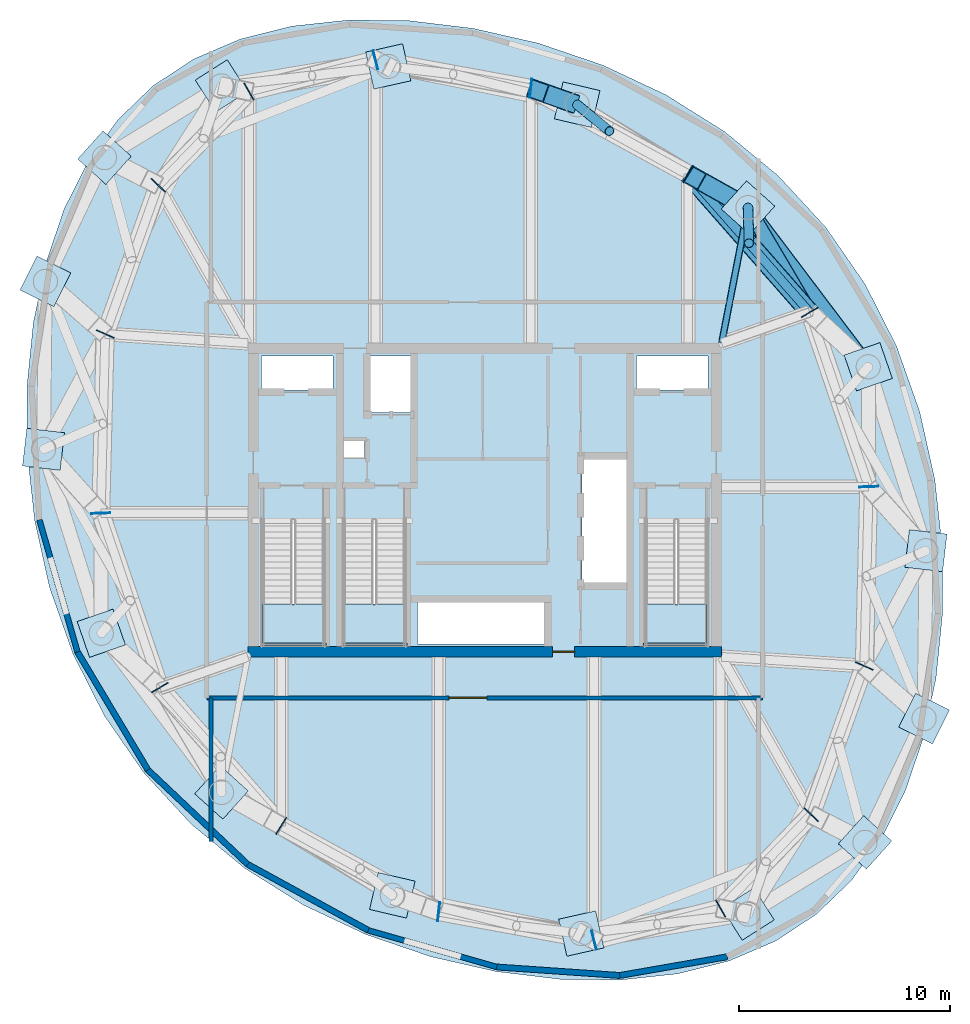
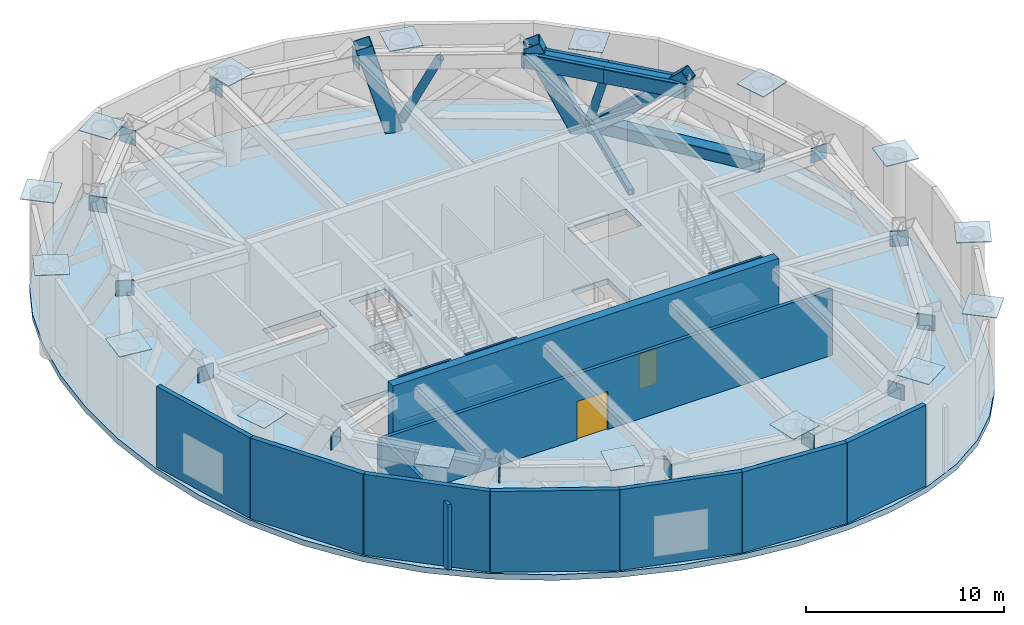
# One storey, part 4 of 9: 32 plates, 13 walls, 9 members, 4 slabs, 2 doors, 1 beam, 2 openings, 3 elements without a shape of their own.
"""IFC4 building model written with IfcOpenShell, lengths in metres."""

from ifc_helpers import new_model, si_unit, direction, frame, frame_2d, origin, origin_2d, place, context, subcontext, project, spatial, polyline, rectangle, hollow_rectangle, hollow_circle, i_section, outline, extrude, material, layer, layer_set, material_profile, profile_set, type_object, element, fill, aggregate, save


model = new_model("IFC4")

# Units and contexts
model_context = context("Model", 3, precision=1e-05, world=origin(), true_north=direction((0.0, 1.0)))
body_context = subcontext(model_context, "Body", "Model", "MODEL_VIEW")
ifc_project = project(units=[si_unit("LENGTHUNIT", "METRE"), si_unit("AREAUNIT", "SQUARE_METRE"), si_unit("VOLUMEUNIT", "CUBIC_METRE"), si_unit("PLANEANGLEUNIT", "RADIAN"), si_unit("MASSUNIT", "GRAM", prefix="KILO")], contexts=[model_context])

# Site, building, storey
site_placement = place(None, origin())
site = spatial("IfcSite", under=ifc_project, at=site_placement, CompositionType="ELEMENT")
building_placement = place(site_placement, origin())
building = spatial("IfcBuilding", under=site, at=building_placement, Name="Bramvorn Convention Spire", CompositionType="ELEMENT")
storey_placement = place(building_placement, frame((0.0, 0.0, 236.64990234375)))
storey = spatial("IfcBuildingStorey", under=building, at=storey_placement, Name="L60", CompositionType="ELEMENT", Elevation=236.64990234375)

# Beam
ifc_material_1 = material(Name="Steel CSA G40.21 Grade 350 (350W)", Category="steel")
ifc_material_profile_1 = material_profile(ifc_material_1, i_section(OverallWidth=0.41796875, OverallDepth=0.912109375, WebThickness=0.019287109375, FlangeThickness=0.031982421875, FilletRadius=0.02392578125, at=origin_2d()))
ifc_profile_set_1 = profile_set([ifc_material_profile_1], Name="Steel CSA G40.21 Grade 350 (350W) - W920X342")
beam_type = type_object("IfcBeamType", Name="BM-W920X342", PredefinedType="BEAM", material=ifc_profile_set_1)
beam_placement = place(storey_placement, frame((53.4326171875, 34.909912109375, 4.524169921875), z_axis=(-0.660073062339, 0.751201405999, 0.0), x_axis=(-0.751201405999, -0.660073062339, 0.0)))
element("IfcBeam", 1, at=beam_placement, inside=storey, type_object=beam_type, Name="L60 step-in transfer ring girder 05", PredefinedType="BEAM", context=body_context, shape_type="SweptSolid", body=[
    extrude(i_section(OverallWidth=0.41796875, OverallDepth=0.912109375, WebThickness=0.019287109375, FlangeThickness=0.031982421875, FilletRadius=0.02392578125, at=origin_2d()), origin(), (0.0, 0.0, 1.0), 8.741943359375),
])

# Members
ifc_material_profile_2 = material_profile(ifc_material_1, hollow_rectangle(XDim=0.699951171875, YDim=0.699951171875, WallThickness=0.034912109375, InnerFilletRadius=0.0009765625, OuterFilletRadius=0.034912109375, at=origin_2d()))
ifc_profile_set_2 = profile_set([ifc_material_profile_2], Name="Steel CSA G40.21 Grade 350 (350W) - BOX700X700X35")
member_type_1 = type_object("IfcMemberType", Name="MBR-BOX700X700X35", PredefinedType="CHORD", material=ifc_profile_set_2)
member_1_placement = place(storey_placement, frame((56.21044921875, 32.327392578125, 0.4501953125), z_axis=(-0.602718581414, 0.797953827999, 0.0), x_axis=(-0.797953827999, -0.602718581414, 0.0)))
element("IfcMember", 2, at=member_1_placement, inside=storey, type_object=member_type_1, Name="L60 belt truss bottom chord 4", PredefinedType="CHORD", context=body_context, shape_type="SweptSolid", body=[
    extrude(hollow_rectangle(XDim=0.699951171875, YDim=0.699951171875, WallThickness=0.034912109375, InnerFilletRadius=0.0009765625, OuterFilletRadius=0.034912109375, at=origin_2d()), origin(), (0.0, 0.0, 1.0), 9.47119140625),
])
member_2_placement = place(storey_placement, frame((50.501953125, 39.885009765625, 0.0), z_axis=(0.370697095885, -0.629295686433, 0.683059735411), x_axis=(0.86162101248, 0.507552195201, 0.0)))
element("IfcMember", 3, at=member_2_placement, inside=storey, type_object=member_type_1, Name="L60 step-in secondary transfer strut MC05", PredefinedType="CHORD", context=body_context, shape_type="SweptSolid", body=[
    extrude(hollow_rectangle(XDim=0.699951171875, YDim=0.699951171875, WallThickness=0.034912109375, InnerFilletRadius=0.0009765625, OuterFilletRadius=0.034912109375, at=origin_2d()), origin(), (0.0, 0.0, 1.0), 7.90576171875),
])
ifc_material_profile_3 = material_profile(ifc_material_1, hollow_rectangle(XDim=0.89990234375, YDim=0.89990234375, WallThickness=0.044921875, InnerFilletRadius=0.0009765625, OuterFilletRadius=0.044921875, at=origin_2d()))
ifc_profile_set_3 = profile_set([ifc_material_profile_3], Name="Steel CSA G40.21 Grade 350 (350W) - BOX900X900X45")
member_type_2 = type_object("IfcMemberType", Name="MBR-BOX900X900X45", PredefinedType="CHORD", material=ifc_profile_set_3)
member_3_placement = place(storey_placement, frame((53.4326171875, 34.909912109375, 4.530029296875), z_axis=(-0.660057302158, 0.751215254017, 0.0), x_axis=(-0.751215254017, -0.660057302158, 0.0)))
element("IfcMember", 4, at=member_3_placement, inside=storey, type_object=member_type_2, Name="L60 belt truss top chord 5A", PredefinedType="CHORD", context=body_context, shape_type="SweptSolid", body=[
    extrude(hollow_rectangle(XDim=0.89990234375, YDim=0.89990234375, WallThickness=0.044921875, InnerFilletRadius=0.0009765625, OuterFilletRadius=0.044921875, at=origin_2d()), origin(), (0.0, 0.0, 1.0), 4.370849609375),
])
member_4_placement = place(storey_placement, frame((50.547607421875, 38.193359375, 4.530029296875), z_axis=(-0.660088821648, 0.751187558161, 0.0), x_axis=(-0.751187558161, -0.660088821648, 0.0)))
element("IfcMember", 5, at=member_4_placement, inside=storey, type_object=member_type_2, Name="L60 belt truss top chord 5B", PredefinedType="CHORD", context=body_context, shape_type="SweptSolid", body=[
    extrude(hollow_rectangle(XDim=0.89990234375, YDim=0.89990234375, WallThickness=0.044921875, InnerFilletRadius=0.0009765625, OuterFilletRadius=0.044921875, at=origin_2d()), origin(), (0.0, 0.0, 1.0), 4.37109375),
])
member_5_placement = place(storey_placement, frame((50.109619140625, 40.10498046875, 0.0), z_axis=(-0.361055584842, 0.202401842728, 0.910314428488), x_axis=(-0.48899086297, -0.87228890623, 0.0)))
element("IfcMember", 6, at=member_5_placement, inside=storey, type_object=member_type_2, Name="L60 step-in mega-column transfer strut MC06", PredefinedType="CHORD", context=body_context, shape_type="SweptSolid", body=[
    extrude(hollow_rectangle(XDim=0.89990234375, YDim=0.89990234375, WallThickness=0.044921875, InnerFilletRadius=0.0009765625, OuterFilletRadius=0.044921875, at=origin_2d()), origin(), (0.0, 0.0, 1.0), 5.93212890625),
])
member_6_placement = place(storey_placement, frame((41.96484375, 44.922119140625, 0.0), z_axis=(-0.258318252705, 0.091178821061, 0.961747421577), x_axis=(-0.332845025137, -0.942981542365, 0.0)))
element("IfcMember", 7, at=member_6_placement, inside=storey, type_object=member_type_2, Name="L60 step-in mega-column transfer strut MC07", PredefinedType="CHORD", context=body_context, shape_type="SweptSolid", body=[
    extrude(hollow_rectangle(XDim=0.89990234375, YDim=0.89990234375, WallThickness=0.044921875, InnerFilletRadius=0.0009765625, OuterFilletRadius=0.044921875, at=origin_2d()), origin(), (0.0, 0.0, 1.0), 5.614990234375),
])
ifc_material_profile_4 = material_profile(ifc_material_1, hollow_circle(Radius=0.228515625, WallThickness=0.01904296875, at=origin_2d()))
ifc_profile_set_4 = profile_set([ifc_material_profile_4], Name="Steel CSA G40.21 Grade 350 (350W) - CHS457X19")
member_type_3 = type_object("IfcMemberType", Name="MBR-CHS457X19", PredefinedType="BRACE", material=ifc_profile_set_4)
member_7_placement = place(storey_placement, frame((50.501953125, 39.885009765625, 0.4501953125), z_axis=(0.010336327501, -0.382996862319, 0.923691812125), x_axis=(0.999636022168, 0.026978198318, 0.0)))
element("IfcMember", 8, at=member_7_placement, inside=storey, type_object=member_type_3, Name="L60 ring belt diagonal 5B", PredefinedType="BRACE", context=body_context, shape_type="SweptSolid", body=[
    extrude(hollow_circle(Radius=0.228515625, WallThickness=0.01904296875, at=origin_2d()), origin(), (0.0, 0.0, 1.0), 4.4169921875),
])
member_8_placement = place(storey_placement, frame((42.38916015625, 44.772216796875, 0.4501953125), z_axis=(0.338167343528, -0.277357493403, 0.899286199507), x_axis=(0.634161985829, 0.773200217104, 0.0)))
element("IfcMember", 9, at=member_8_placement, inside=storey, type_object=member_type_3, Name="L60 ring belt diagonal 6B", PredefinedType="BRACE", context=body_context, shape_type="SweptSolid", body=[
    extrude(hollow_circle(Radius=0.228515625, WallThickness=0.01904296875, at=origin_2d()), origin(), (0.0, 0.0, 1.0), 4.536865234375),
])
ifc_material_profile_5 = material_profile(ifc_material_1, hollow_rectangle(XDim=0.3046875, YDim=0.3046875, WallThickness=0.015869140625, InnerFilletRadius=0.015869140625, OuterFilletRadius=0.03173828125, at=origin_2d()))
ifc_profile_set_5 = profile_set([ifc_material_profile_5], Name="Steel CSA G40.21 Grade 350 (350W) - HSS305X305X16")
member_type_4 = type_object("IfcMemberType", Name="MBR-HSS305X305X16", PredefinedType="POST", material=ifc_profile_set_5)
member_9_placement = place(storey_placement, frame((49.25, 33.449951171875, 0.4501953125), z_axis=(0.190971329886, 0.981595614885, 0.0), x_axis=(-0.981595614885, 0.190971329886, 0.0)))
element("IfcMember", 10, at=member_9_placement, inside=storey, type_object=member_type_4, Name="L60 outrigger bottom chord MC05", PredefinedType="POST", context=body_context, shape_type="SweptSolid", body=[
    extrude(hollow_rectangle(XDim=0.3046875, YDim=0.3046875, WallThickness=0.015869140625, InnerFilletRadius=0.015869140625, OuterFilletRadius=0.03173828125, at=origin_2d()), origin(), (0.0, 0.0, 1.0), 6.5556640625),
])

# Plates
ifc_layer_1 = layer(ifc_material_1, 0.044921875)
ifc_layer_set_1 = layer_set([ifc_layer_1], Name="Steel CSA G40.21 Grade 350 (350W) - PLT-NODE-CAP-45")
plate_type_1 = type_object("IfcPlateType", Name="PLT-NODE-CAP-45", PredefinedType="SHEET", material=ifc_layer_set_1)
for number, where, z_axis, x_axis, name in (
    (11, (56.058349609375, 9.739990234375, 5.400146484375), (0.0, 0.0, 1.0), (0.743143933143, -0.669131597395, 0.0), "L60 CFT mega-column MC01 transition cap plate"),
    (12, (58.863037109375, 15.619384765625, 5.400146484375), (0.0, 0.0, 1.0), (0.895301760905, -0.445460163114, 0.0), "L60 CFT mega-column MC02 transition cap plate"),
    (13, (58.95458984375, 23.593505859375, 5.400146484375), (0.0, 0.0, 1.0), (0.993469530113, -0.114097733269, 0.0), "L60 CFT mega-column MC03 transition cap plate"),
    (14, (56.21044921875, 32.327392578125, 5.400146484375), (0.0, 0.0, 1.0), (0.944605422038, 0.328208160558, 0.0), "L60 CFT mega-column MC04 transition cap plate"),
    (15, (50.501953125, 39.885009765625, 5.400146484375), (0.0, 0.0, 1.0), (0.669130011799, 0.743145360821, 0.0), "L60 CFT mega-column MC05 transition cap plate"),
    (16, (42.38916015625, 44.772216796875, 5.400146484375), (0.0, 0.0, 1.0), (0.227669544295, 0.973738454926, 0.0), "L60 CFT mega-column MC06 transition cap plate"),
    (17, (33.416259765625, 46.58837890625, 5.400146484375), (0.0, 0.0, 1.0), (-0.217319987046, 0.976100416571, 0.0), "L60 CFT mega-column MC07 transition cap plate"),
    (18, (25.49560546875, 45.663818359375, 5.400146484375), (0.0, 0.0, 1.0), (-0.536605844798, 0.843833020999, 0.0), "L60 CFT mega-column MC08 transition cap plate"),
    (19, (19.941650390625, 42.260009765625, 5.400146484375), (0.0, 0.0, 1.0), (-0.743143933143, 0.669131597395, 0.0), "L60 CFT mega-column MC09 transition cap plate"),
    (20, (17.136962890625, 36.380615234375, 5.400146484375), (0.0, 0.0, 1.0), (-0.895301760905, 0.445460163114, 0.0), "L60 CFT mega-column MC10 transition cap plate"),
    (21, (17.04541015625, 28.406494140625, 5.400146484375), (0.0, 0.0, 1.0), (-0.993469530113, 0.114097733269, 0.0), "L60 CFT mega-column MC11 transition cap plate"),
    (22, (19.78955078125, 19.672607421875, 5.400146484375), (0.0, 0.0, 1.0), (-0.944605422038, -0.328208160558, 0.0), "L60 CFT mega-column MC12 transition cap plate"),
    (23, (25.498046875, 12.114990234375, 5.400146484375), (0.0, 0.0, 1.0), (-0.669130011799, -0.743145360821, 0.0), "L60 CFT mega-column MC13 transition cap plate"),
    (24, (33.61083984375, 7.227783203125, 5.400146484375), (0.0, 0.0, 1.0), (-0.227669544295, -0.973738454926, 0.0), "L60 CFT mega-column MC14 transition cap plate"),
    (25, (42.583740234375, 5.41162109375, 5.400146484375), (0.0, 0.0, 1.0), (0.217319987046, -0.976100416571, 0.0), "L60 CFT mega-column MC15 transition cap plate"),
    (26, (50.50439453125, 6.336181640625, 5.400146484375), (0.0, 0.0, 1.0), (0.536605844798, -0.843833020999, 0.0), "L60 CFT mega-column MC16 transition cap plate"),
):
    element("IfcPlate", number, at=place(storey_placement, frame(where, z_axis=z_axis, x_axis=x_axis)), inside=storey, type_object=plate_type_1, Name=name, PredefinedType="SHEET", context=body_context, shape_type="SweptSolid", body=[
        extrude(rectangle(XDim=1.800048828125, YDim=1.800048828125, at=origin_2d()), origin(), (0.0, 0.0, 1.0), 0.044921875),
    ])
ifc_layer_2 = layer(ifc_material_1, 0.044921875)
ifc_layer_set_2 = layer_set([ifc_layer_2], Name="Steel CSA G40.21 Grade 350 (350W) - PLT-TRUSS-CAP-45")
plate_type_2 = type_object("IfcPlateType", Name="PLT-TRUSS-CAP-45", PredefinedType="SHEET", material=ifc_layer_set_2)
for number, where, z_axis, x_axis, name in (
    (27, (49.199951171875, 6.60107421875, 4.070068359375), (0.0, 0.0, 1.0), (0.499999401612, -0.866025749263, 0.0), "Truss node KN-60-01 closed end-cap plate"),
    (28, (53.50634765625, 11.05615234375, 4.070068359375), (0.0, 0.0, 1.0), (0.720048445725, -0.693923796832, 0.0), "Truss node KN-60-02 closed end-cap plate"),
    (29, (56.023681640625, 18.116455078125, 4.070068359375), (0.0, 0.0, 1.0), (0.91619221429, -0.400739100257, 0.0), "Truss node KN-60-03 closed end-cap plate"),
    (30, (56.234619140625, 26.62939453125, 4.070068359375), (0.0, 0.0, 1.0), (0.999404638135, 0.034501728572, 0.0), "Truss node KN-60-04 closed end-cap plate"),
    (31, (53.4326171875, 34.909912109375, 4.070068359375), (0.0, 0.0, 1.0), (0.86602578684, 0.499999336527, 0.0), "Truss node KN-60-05 closed end-cap plate"),
    (32, (47.662353515625, 41.476806640625, 4.070068359375), (0.0, 0.0, 1.0), (0.529581099859, 0.848259310984, 0.0), "Truss node KN-60-06 closed end-cap plate"),
    (33, (40.1845703125, 45.55078125, 4.070068359375), (0.0, 0.0, 1.0), (0.111043540524, 0.993815542295, 0.0), "Truss node KN-60-07 closed end-cap plate"),
    (34, (32.8115234375, 46.90087890625, 4.070068359375), (0.0, 0.0, 1.0), (-0.24093026589, 0.970542429252, 0.0), "Truss node KN-60-08 closed end-cap plate"),
    (35, (26.800048828125, 45.39892578125, 4.070068359375), (0.0, 0.0, 1.0), (-0.499999401612, 0.866025749263, 0.0), "Truss node KN-60-09 closed end-cap plate"),
    (36, (22.49365234375, 40.94384765625, 4.070068359375), (0.0, 0.0, 1.0), (-0.720048445725, 0.693923796832, 0.0), "Truss node KN-60-10 closed end-cap plate"),
    (37, (19.976318359375, 33.883544921875, 4.070068359375), (0.0, 0.0, 1.0), (-0.91619221429, 0.400739100257, 0.0), "Truss node KN-60-11 closed end-cap plate"),
    (38, (19.765380859375, 25.37060546875, 4.070068359375), (0.0, 0.0, 1.0), (-0.999404638135, -0.034501728572, 0.0), "Truss node KN-60-12 closed end-cap plate"),
    (39, (22.5673828125, 17.090087890625, 4.070068359375), (0.0, 0.0, 1.0), (-0.86602578684, -0.499999336527, 0.0), "Truss node KN-60-13 closed end-cap plate"),
    (40, (28.337646484375, 10.523193359375, 4.070068359375), (0.0, 0.0, 1.0), (-0.529581099859, -0.848259310984, 0.0), "Truss node KN-60-14 closed end-cap plate"),
    (41, (35.8154296875, 6.44921875, 4.070068359375), (0.0, 0.0, 1.0), (-0.111043540524, -0.993815542295, 0.0), "Truss node KN-60-15 closed end-cap plate"),
    (42, (43.1884765625, 5.09912109375, 4.070068359375), (0.0, 0.0, 1.0), (0.24093026589, -0.970542429252, 0.0), "Truss node KN-60-16 closed end-cap plate"),
):
    element("IfcPlate", number, at=place(storey_placement, frame(where, z_axis=z_axis, x_axis=x_axis)), inside=storey, type_object=plate_type_2, Name=name, PredefinedType="SHEET", context=body_context, shape_type="SweptSolid", body=[
        extrude(rectangle(XDim=0.919921875, YDim=0.044921875, at=origin_2d()), origin(), (0.0, 0.0, 1.0), 0.919921875),
    ])

# Slab
ifc_material_2 = material(Name="Concrete C50/60", Category="concrete")
ifc_layer_3 = layer(ifc_material_2, 0.35009765625)
ifc_layer_set_3 = layer_set([ifc_layer_3], Name="Concrete C50/60 - SLB-PLT-350")
slab_type_1 = type_object("IfcSlabType", Name="SLB-PLT-350", PredefinedType="FLOOR", material=ifc_layer_set_3)
slab_1_placement = place(storey_placement, frame((0.0, 0.0, -0.349853515625)))
element("IfcSlab", 43, at=slab_1_placement, inside=storey, type_object=slab_type_1, Name="L60 tower floor slab", PredefinedType="FLOOR", context=body_context, shape_type="SweptSolid", body=[
    extrude(outline(polyline([(53.756103515625, 6.333251953125), (55.426025390625, 7.947265625), (56.828857421875, 9.89501953125), (57.966552734375, 12.164306640625), (58.837646484375, 14.730224609375), (59.43310546875, 17.553955078125), (59.73681640625, 20.58203125), (59.7255859375, 23.748779296875), (59.373779296875, 26.978759765625), (58.656494140625, 30.192138671875), (57.554443359375, 33.308837890625), (56.060546875, 36.254638671875), (54.18310546875, 38.965087890625), (51.947509765625, 41.388671875), (49.3984375, 43.489013671875), (46.59716796875, 45.244384765625), (43.617919921875, 46.6455078125), (40.542236328125, 47.693603515625), (37.4541015625, 48.39501953125), (34.432861328125, 48.759521484375), (31.54736328125, 48.794189453125), (28.85302734375, 48.50390625), (26.390380859375, 47.888427734375), (24.183349609375, 46.9443359375), (22.243896484375, 45.666748046875), (20.573974609375, 44.052734375), (19.171142578125, 42.10498046875), (18.033447265625, 39.835693359375), (17.162353515625, 37.269775390625), (16.56689453125, 34.446044921875), (16.26318359375, 31.41796875), (16.2744140625, 28.251220703125), (16.626220703125, 25.021240234375), (17.343505859375, 21.807861328125), (18.445556640625, 18.691162109375), (19.939453125, 15.745361328125), (21.81689453125, 13.034912109375), (24.052490234375, 10.611328125), (26.6015625, 8.510986328125), (29.40283203125, 6.755615234375), (32.382080078125, 5.3544921875), (35.457763671875, 4.306396484375), (38.5458984375, 3.60498046875), (41.567138671875, 3.240478515625), (44.45263671875, 3.205810546875), (47.14697265625, 3.49609375), (49.609619140625, 4.111572265625), (51.816650390625, 5.0556640625), (53.756103515625, 6.333251953125)]), holes=[polyline([(27.449951171875, 25.050048828125), (27.449951171875, 19.10009765625), (30.35009765625, 19.10009765625), (30.35009765625, 25.050048828125), (27.449951171875, 25.050048828125)]), polyline([(45.64990234375, 25.050048828125), (45.64990234375, 19.10009765625), (48.550048828125, 19.10009765625), (48.550048828125, 25.050048828125), (45.64990234375, 25.050048828125)]), polyline([(31.300048828125, 25.050048828125), (31.300048828125, 19.10009765625), (34.199951171875, 19.10009765625), (34.199951171875, 25.050048828125), (31.300048828125, 25.050048828125)]), polyline([(27.39990234375, 31.219970703125), (30.800048828125, 31.219970703125), (30.800048828125, 32.85009765625), (27.39990234375, 32.85009765625), (27.39990234375, 31.219970703125)]), polyline([(45.199951171875, 31.219970703125), (48.60009765625, 31.219970703125), (48.60009765625, 32.85009765625), (45.199951171875, 32.85009765625), (45.199951171875, 31.219970703125)]), polyline([(32.449951171875, 30.14990234375), (34.56005859375, 30.14990234375), (34.56005859375, 32.85009765625), (32.449951171875, 32.85009765625), (32.449951171875, 30.14990234375)]), polyline([(34.800048828125, 19.14990234375), (40.97998046875, 19.14990234375), (40.97998046875, 21.199951171875), (34.800048828125, 21.199951171875), (34.800048828125, 19.14990234375)]), polyline([(42.6201171875, 22.0), (44.75, 22.0), (44.75, 28.0), (42.6201171875, 28.0), (42.6201171875, 22.0)]), polyline([(31.320068359375, 28.02001953125), (32.280029296875, 28.02001953125), (32.280029296875, 28.820068359375), (31.320068359375, 28.820068359375), (31.320068359375, 28.02001953125)])]), origin(), (0.0, 0.0, 1.0), 0.349853515625),
])

# Stair, slab
ifc_material_3 = material(Name="Concrete C40/50 Precast Stair", Category="concrete")
stair_type = type_object("IfcStairType", Name="ST-TOWER-1550", PredefinedType="HALF_TURN_STAIR", material=ifc_material_3)
stair_1_placement = place(storey_placement, origin())
stair_1 = element("IfcStair", 44, at=stair_1_placement, inside=storey, type_object=stair_type, Name="L60 Protected Exit Stair ST1", PredefinedType="HALF_TURN_STAIR")
ifc_material_4 = material(Name="Concrete C40/50 Stair Landing", Category="concrete")
ifc_layer_4 = layer(ifc_material_4, 0.219970703125)
ifc_layer_set_4 = layer_set([ifc_layer_4], Name="Concrete C40/50 Stair Landing - SLB-STAIR-LANDING")
slab_type_2 = type_object("IfcSlabType", Name="SLB-STAIR-LANDING", PredefinedType="LANDING", material=ifc_layer_set_4)
slab_2_placement = place(storey_placement, frame((0.0, 0.0, 2.5)))
slab_2 = element("IfcSlab", 45, at=slab_2_placement, type_object=slab_type_2, Name="ST1 landing 1", PredefinedType="LANDING", context=body_context, shape_type="SweptSolid", body=[
    extrude(outline(polyline([(27.449951171875, 21.06005859375), (27.449951171875, 19.10009765625), (30.35009765625, 19.10009765625), (30.35009765625, 21.06005859375), (27.449951171875, 21.06005859375)])), origin(), (0.0, 0.0, 1.0), 0.2001953125),
])
aggregate(stair_1, [slab_2])

stair_2_placement = place(storey_placement, origin())
stair_2 = element("IfcStair", 46, at=stair_2_placement, inside=storey, type_object=stair_type, Name="L60 Protected Exit Stair ST2", PredefinedType="HALF_TURN_STAIR")
slab_3_placement = place(storey_placement, frame((0.0, 0.0, 2.5)))
slab_3 = element("IfcSlab", 47, at=slab_3_placement, type_object=slab_type_2, Name="ST2 landing 1", PredefinedType="LANDING", context=body_context, shape_type="SweptSolid", body=[
    extrude(outline(polyline([(45.64990234375, 21.06005859375), (45.64990234375, 19.10009765625), (48.550048828125, 19.10009765625), (48.550048828125, 21.06005859375), (45.64990234375, 21.06005859375)])), origin(), (0.0, 0.0, 1.0), 0.2001953125),
])
aggregate(stair_2, [slab_3])

stair_3_placement = place(storey_placement, origin())
stair_3 = element("IfcStair", 48, at=stair_3_placement, inside=storey, type_object=stair_type, Name="L60 Protected Exit Stair ST3", PredefinedType="HALF_TURN_STAIR")
slab_4_placement = place(storey_placement, frame((0.0, 0.0, 2.5)))
slab_4 = element("IfcSlab", 49, at=slab_4_placement, type_object=slab_type_2, Name="ST3 landing 1", PredefinedType="LANDING", context=body_context, shape_type="SweptSolid", body=[
    extrude(outline(polyline([(31.300048828125, 21.06005859375), (31.300048828125, 19.10009765625), (34.199951171875, 19.10009765625), (34.199951171875, 21.06005859375), (31.300048828125, 21.06005859375)])), origin(), (0.0, 0.0, 1.0), 0.2001953125),
])
aggregate(stair_3, [slab_4])

# Wall, opening, door
ifc_layer_5 = layer(ifc_material_2, 0.5)
ifc_layer_set_5 = layer_set([ifc_layer_5], Name="Concrete C50/60 - WL-CORE-500")
wall_type_1 = type_object("IfcWallType", Name="WL-CORE-500", PredefinedType="SHEAR", material=ifc_layer_set_5)
wall_1_placement = place(storey_placement, frame((26.75, 18.800048828125, 0.0), z_axis=(0.0, 0.0, 1.0), x_axis=(1.0, 0.0, 0.0)))
wall_1 = element("IfcWall", 50, at=wall_1_placement, inside=storey, type_object=wall_type_1, Name="L60 South RC core shear wall", PredefinedType="SHEAR", context=body_context, shape_type="SweptSolid", body=[
    extrude(rectangle(XDim=22.5, YDim=0.5, at=frame_2d((11.25, 0.0))), origin(), (0.0, 0.0, 1.0), 5.400146484375),
])
opening_1_placement = place(wall_1_placement, frame((14.469970703125, 0.0, 0.0)))
opening_1 = element("IfcOpeningElement", 51, at=opening_1_placement, cuts=wall_1, Name="Opening DL-105", PredefinedType="OPENING", context=body_context, shape_type="SweptSolid", body=[
    extrude(rectangle(XDim=1.050048828125, YDim=2.14990234375, at=frame_2d((0.52490234375, 1.074951171875))), frame((0.0, 0.260009765625, 0.0), z_axis=(0.0, -1.0, 0.0), x_axis=(1.0, 0.0, 0.0)), (0.0, 0.0, 1.0), 0.52001953125),
])
ifc_material_5 = material(Name="Smoke-Sealed Fire Lobby Timber-Core Door", Category="wood")
door_type_1 = type_object("IfcDoorType", Name="DR-LOBBY-1050", OperationType="NOTDEFINED", PredefinedType="DOOR", material=ifc_material_5)
door_1_placement = place(opening_1_placement, origin())
door_1 = element("IfcDoor", 52, at=door_1_placement, inside=storey, type_object=door_type_1, Name="L60 South Lift Lobby fire door", OperationType="SINGLE_SWING_RIGHT", OverallHeight=2.14990234375, OverallWidth=1.050048828125, PredefinedType="DOOR", context=body_context, shape_type="SweptSolid", body=[
    extrude(rectangle(XDim=1.050048828125, YDim=2.14990234375, at=frame_2d((0.52490234375, 1.074951171875))), frame((0.0, 0.02490234375, 0.0), z_axis=(0.0, -1.0, 0.0), x_axis=(1.0, 0.0, 0.0)), (0.0, 0.0, 1.0), 0.050048828125),
])
fill(opening_1, door_1)

# Walls
ifc_material_6 = material(Name="Precast Concrete C40/50 with Bronze Terracotta Rainscreen", Category="masonry")
ifc_layer_6 = layer(ifc_material_6, 0.300048828125)
ifc_layer_set_6 = layer_set([ifc_layer_6], Name="Precast Concrete C40/50 with Bronze Terracotta Rainscreen - WL-EXT-BRONZE-300")
wall_type_2 = type_object("IfcWallType", Name="WL-EXT-BRONZE-300", PredefinedType="SOLIDWALL", material=ifc_layer_set_6)
wall_2_placement = place(storey_placement, frame((22.00244140625, 13.18359375, 0.0), z_axis=(0.0, 0.0, 1.0), x_axis=(-0.512337833972, 0.858783991397, 0.0)))
element("IfcWall", 53, at=wall_2_placement, inside=storey, type_object=wall_type_2, Name="L60 expressed bronze Gothic lancet pier wall 18", PredefinedType="SOLIDWALL", context=body_context, shape_type="SweptSolid", body=[
    extrude(rectangle(XDim=6.52685546875, YDim=0.280029296875, at=frame_2d((3.263427734375, 0.0))), origin(), (0.0, 0.0, 1.0), 4.97998046875),
])
wall_3_placement = place(storey_placement, frame((26.743408203125, 8.697509765625, 0.0), z_axis=(0.0, 0.0, 1.0), x_axis=(-0.726362423444, 0.687311886852, 0.0)))
element("IfcWall", 54, at=wall_3_placement, inside=storey, type_object=wall_type_2, Name="L60 expressed bronze Gothic lancet pier wall 19", PredefinedType="SOLIDWALL", context=body_context, shape_type="SweptSolid", body=[
    extrude(rectangle(XDim=6.527099609375, YDim=0.280029296875, at=frame_2d((3.263671875, 0.0))), origin(), (0.0, 0.0, 1.0), 4.97998046875),
])
wall_4_placement = place(storey_placement, frame((32.468017578125, 5.564208984375, 0.0), z_axis=(0.0, 0.0, 1.0), x_axis=(-0.877199815451, 0.480125487526, 0.0)))
element("IfcWall", 55, at=wall_4_placement, inside=storey, type_object=wall_type_2, Name="L60 expressed bronze Gothic lancet pier wall 20", PredefinedType="SOLIDWALL", context=body_context, shape_type="SweptSolid", body=[
    extrude(rectangle(XDim=6.526123046875, YDim=0.280029296875, at=frame_2d((3.26318359375, 0.0))), origin(), (0.0, 0.0, 1.0), 4.97998046875),
])
wall_5_placement = place(storey_placement, frame((44.416015625, 3.42041015625, 0.0), z_axis=(0.0, 0.0, 1.0), x_axis=(-0.997631610149, 0.068783504066, 0.0)))
element("IfcWall", 56, at=wall_5_placement, inside=storey, type_object=wall_type_2, Name="L60 expressed bronze Gothic lancet pier wall 22", PredefinedType="SOLIDWALL", context=body_context, shape_type="SweptSolid", body=[
    extrude(rectangle(XDim=5.860107421875, YDim=0.280029296875, at=frame_2d((2.93017578125, 0.0))), origin(), (0.0, 0.0, 1.0), 4.97998046875),
])
wall_6_placement = place(storey_placement, frame((49.518310546875, 4.310546875, 0.0), z_axis=(0.0, 0.0, 1.0), x_axis=(-0.985120975094, -0.171862341509, 0.0)))
element("IfcWall", 57, at=wall_6_placement, inside=storey, type_object=wall_type_2, Name="L60 expressed bronze Gothic lancet pier wall 23", PredefinedType="SOLIDWALL", context=body_context, shape_type="SweptSolid", body=[
    extrude(rectangle(XDim=5.179443359375, YDim=0.280029296875, at=frame_2d((2.58984375, 0.0))), origin(), (0.0, 0.0, 1.0), 4.97998046875),
])
ifc_material_7 = material(Name="Precast Concrete C40/50 Insulated Terrace Wall", Category="concrete")
ifc_layer_7 = layer(ifc_material_7, 0.280029296875)
ifc_layer_set_7 = layer_set([ifc_layer_7], Name="Precast Concrete C40/50 Insulated Terrace Wall - WL-EXT-TERR-280")
wall_type_3 = type_object("IfcWallType", Name="WL-EXT-TERR-280", PredefinedType="SOLIDWALL", material=ifc_layer_set_7)
wall_7_placement = place(storey_placement, frame((18.658447265625, 18.788818359375, 0.0), z_axis=(0.0, 0.0, 1.0), x_axis=(-0.277165964475, 0.960822058519, 0.0)))
element("IfcWall", 58, at=wall_7_placement, inside=storey, type_object=wall_type_3, Name="L60 plant floor acoustic louvre breast wall 17", PredefinedType="SOLIDWALL", context=body_context, shape_type="SweptSolid", body=[
    extrude(rectangle(XDim=6.526123046875, YDim=0.260009765625, at=frame_2d((3.26318359375, 0.0))), origin(), (0.0, 0.0, 1.0), 4.97998046875),
])
wall_8_placement = place(storey_placement, frame((38.56982421875, 3.823486328125, 0.0), z_axis=(0.0, 0.0, 1.0), x_axis=(-0.961634216747, 0.274334892386, 0.0)))
element("IfcWall", 59, at=wall_8_placement, inside=storey, type_object=wall_type_3, Name="L60 plant floor acoustic louvre breast wall 21", PredefinedType="SOLIDWALL", context=body_context, shape_type="SweptSolid", body=[
    extrude(rectangle(XDim=6.34521484375, YDim=0.260009765625, at=frame_2d((3.172607421875, 0.0))), origin(), (0.0, 0.0, 1.0), 4.97998046875),
])

# Wall, opening, door
ifc_material_8 = material(Name="Gypsum Shaftwall & Rockwool Core Partition", Category="gypsum")
ifc_layer_8 = layer(ifc_material_8, 0.199951171875)
ifc_layer_set_8 = layer_set([ifc_layer_8], Name="Gypsum Shaftwall & Rockwool Core Partition - WL-PART-200-FR")
wall_type_4 = type_object("IfcWallType", Name="WL-PART-200-FR", PredefinedType="PARTITIONING", material=ifc_layer_set_8)
wall_9_placement = place(storey_placement, frame((24.800048828125, 16.60009765625, 0.0), z_axis=(0.0, 0.0, 1.0), x_axis=(1.0, 0.0, 0.0)))
wall_9 = element("IfcWall", 60, at=wall_9_placement, inside=storey, type_object=wall_type_4, Name="L60 Refuge corridor south wall", PredefinedType="PARTITIONING", context=body_context, shape_type="SweptSolid", body=[
    extrude(rectangle(XDim=26.39990234375, YDim=0.199951171875, at=frame_2d((13.199951171875, 0.0))), origin(), (0.0, 0.0, 1.0), 4.0400390625),
])
opening_2_placement = place(wall_9_placement, frame((11.5, 0.0, 0.0)))
opening_2 = element("IfcOpeningElement", 61, at=opening_2_placement, cuts=wall_9, Name="Opening DH-180", PredefinedType="OPENING", context=body_context, shape_type="SweptSolid", body=[
    extrude(rectangle(XDim=1.800048828125, YDim=2.35009765625, at=frame_2d((0.89990234375, 1.175048828125))), frame((0.0, 0.10986328125, 0.0), z_axis=(0.0, -1.0, 0.0), x_axis=(1.0, 0.0, 0.0)), (0.0, 0.0, 1.0), 0.219970703125),
])
ifc_material_9 = material(Name="Double-Leaf Acoustic Assembly Hall Door", Category="wood")
door_type_2 = type_object("IfcDoorType", Name="DR-HALL-1800", OperationType="NOTDEFINED", PredefinedType="DOOR", material=ifc_material_9)
door_2_placement = place(opening_2_placement, origin())
door_2 = element("IfcDoor", 62, at=door_2_placement, inside=storey, type_object=door_type_2, Name="L60 Pressurised Area of Refuge door", OperationType="DOUBLE_DOOR_SINGLE_SWING", OverallHeight=2.35009765625, OverallWidth=1.800048828125, PredefinedType="DOOR", context=body_context, shape_type="SweptSolid", body=[
    extrude(rectangle(XDim=1.800048828125, YDim=2.35009765625, at=frame_2d((0.89990234375, 1.175048828125))), frame((0.0, 0.02490234375, 0.0), z_axis=(0.0, -1.0, 0.0), x_axis=(1.0, 0.0, 0.0)), (0.0, 0.0, 1.0), 0.050048828125),
])
fill(opening_2, door_2)

# Walls
wall_10_placement = place(storey_placement, frame((25.0, 9.7890625, 0.0), z_axis=(0.0, 0.0, 1.0), x_axis=(0.0, 1.0, 0.0)))
element("IfcWall", 63, at=wall_10_placement, inside=storey, type_object=wall_type_4, Name="L60 Compartment fire wall", PredefinedType="PARTITIONING", context=body_context, shape_type="SweptSolid", body=[
    extrude(rectangle(XDim=6.81103515625, YDim=0.199951171875, at=frame_2d((3.405517578125, 0.0))), origin(), (0.0, 0.0, 1.0), 4.0400390625),
])
ifc_layer_9 = layer(ifc_material_2, 0.1201171875)
ifc_layer_set_9 = layer_set([ifc_layer_9], Name="Concrete C50/60 - WL-STAIR-RC-120")
wall_type_5 = type_object("IfcWallType", Name="WL-STAIR-RC-120", PredefinedType="SHEAR", material=ifc_layer_set_9)
for number, where, z_axis, x_axis, name in (
    (64, (27.39501953125, 19.159912109375, 0.0), (0.0, 0.0, 1.0), (1.0, 0.0, 0.0), "L60 ST1 south bearing shear wall"),
    (65, (45.510009765625, 19.159912109375, 0.0), (0.0, 0.0, 1.0), (1.0, 0.0, 0.0), "L60 ST2 south bearing shear wall"),
):
    element("IfcWall", number, at=place(storey_placement, frame(where, z_axis=z_axis, x_axis=x_axis)), inside=storey, type_object=wall_type_5, Name=name, PredefinedType="SHEAR", context=body_context, shape_type="SweptSolid", body=[
        extrude(rectangle(XDim=3.094970703125, YDim=0.1201171875, at=frame_2d((1.54736328125, 0.0))), origin(), (0.0, 0.0, 1.0), 5.400146484375),
    ])
wall_11_placement = place(storey_placement, frame((31.300048828125, 19.159912109375, 0.0), z_axis=(0.0, 0.0, 1.0), x_axis=(1.0, 0.0, 0.0)))
element("IfcWall", 66, at=wall_11_placement, inside=storey, type_object=wall_type_5, Name="L60 ST3 south bearing shear wall", PredefinedType="SHEAR", context=body_context, shape_type="SweptSolid", body=[
    extrude(rectangle(XDim=3.0400390625, YDim=0.1201171875, at=frame_2d((1.52001953125, 0.0))), origin(), (0.0, 0.0, 1.0), 5.400146484375),
])

save(model, "model.ifc")
